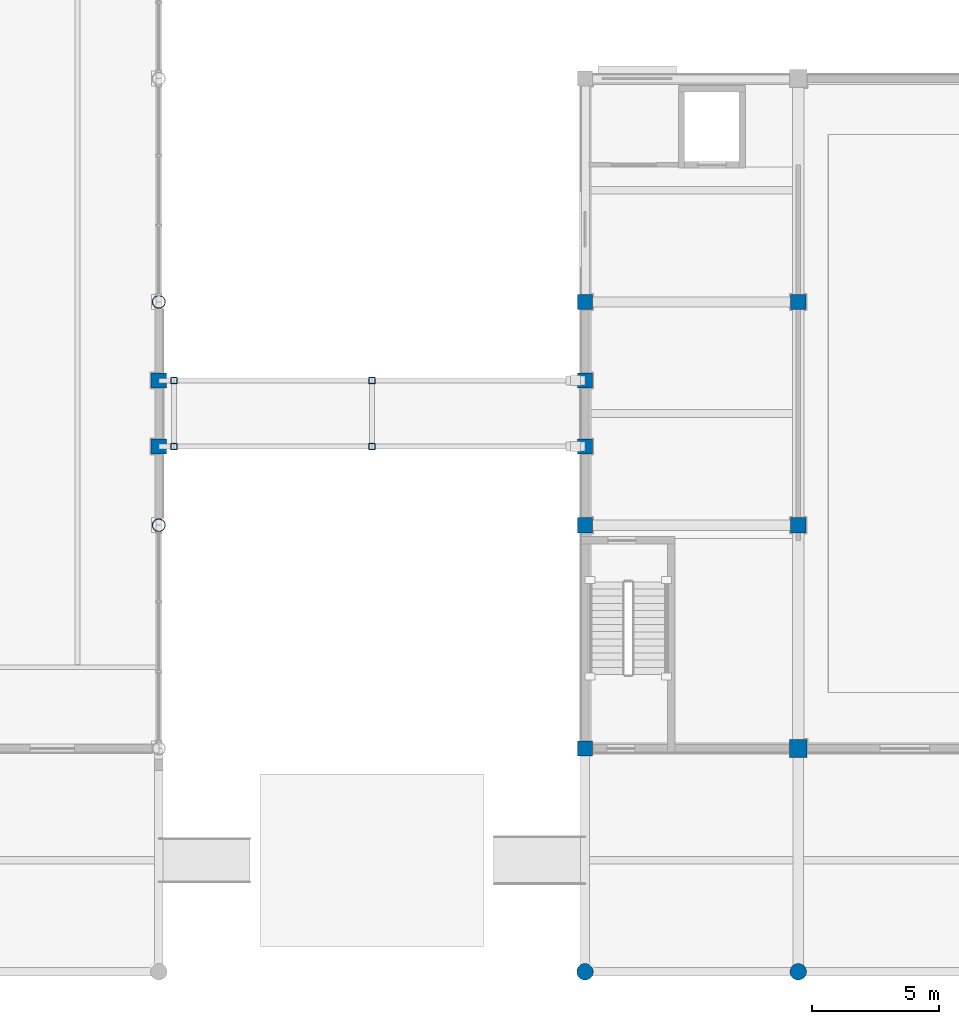
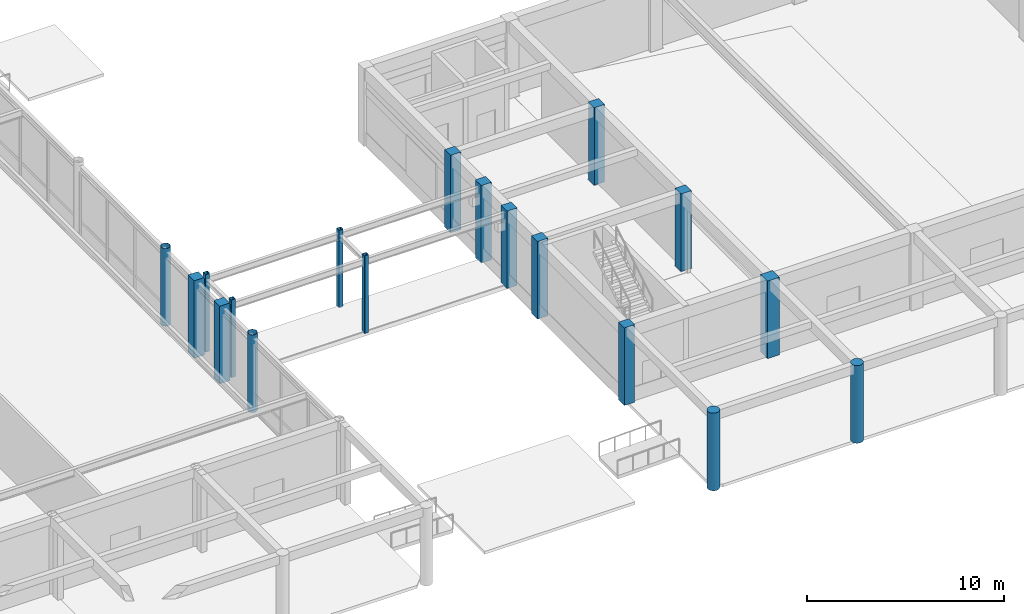
# One storey, part 2 of 58: 18 columns.
"""IFC4 building model written with IfcOpenShell, lengths in metres."""

from ifc_helpers import new_model, si_unit, direction, frame, origin, origin_2d, place, context, subcontext, project, spatial, rectangle, hollow_rectangle, circle, hollow_circle, extrude, material, material_profile, profile_set, type_object, element, save


model = new_model("IFC4")

# Units and contexts
model_context = context("Model", 3, precision=1e-05, world=origin(), true_north=direction((0.0, 1.0)))
body_context = subcontext(model_context, "Body", "Model", "MODEL_VIEW")
ifc_project = project(units=[si_unit("LENGTHUNIT", "METRE"), si_unit("AREAUNIT", "SQUARE_METRE"), si_unit("VOLUMEUNIT", "CUBIC_METRE"), si_unit("PLANEANGLEUNIT", "RADIAN"), si_unit("MASSUNIT", "GRAM", prefix="KILO")], contexts=[model_context])

# Site, building, storey
site_placement = place(None, origin())
site = spatial("IfcSite", under=ifc_project, at=site_placement, CompositionType="ELEMENT")
building_placement = place(site_placement, origin())
building = spatial("IfcBuilding", under=site, at=building_placement, Name="Kemercrest Conservatory and Botanical Centre", CompositionType="ELEMENT")
storey_placement = place(building_placement, origin())
storey = spatial("IfcBuildingStorey", under=building, at=storey_placement, Name="L00", CompositionType="ELEMENT", Elevation=0.0)

# Columns
ifc_material_1 = material(Name="Concrete C40/50", Category="concrete")
ifc_material_profile_1 = material_profile(ifc_material_1, rectangle(XDim=0.60009765625, YDim=0.60009765625, at=origin_2d()), Name="RC 600x600")
ifc_profile_set_1 = profile_set([ifc_material_profile_1], Name="Concrete C40/50")
column_type_1 = type_object("IfcColumnType", Name="C-RC60", PredefinedType="COLUMN", material=ifc_profile_set_1)
for number, where, z_axis, x_axis, name in (
    (1, (58.39990234375, 16.800048828125, 0.0), (0.0, 0.0, 1.0), (1.0, 0.0, 0.0), "Auditorium column 07/B"),
    (2, (58.39990234375, 25.60009765625, 0.0), (0.0, 0.0, 1.0), (1.0, 0.0, 0.0), "Auditorium column 07/C"),
    (3, (58.39990234375, 34.39990234375, 0.0), (0.0, 0.0, 1.0), (1.0, 0.0, 0.0), "Auditorium column 07/D"),
    (4, (66.800048828125, 25.60009765625, 0.0), (0.0, 0.0, 1.0), (1.0, 0.0, 0.0), "Auditorium column 08/C"),
    (5, (66.800048828125, 34.39990234375, 0.0), (0.0, 0.0, 1.0), (1.0, 0.0, 0.0), "Auditorium column 08/D"),
    (6, (41.60009765625, 28.699951171875, 0.0), (0.0, 0.0, 1.0), (1.0, 0.0, 0.0), "South Courtyard Covered Passage SJ-1 org pier column 1"),
    (7, (41.60009765625, 31.300048828125, 0.0), (0.0, 0.0, 1.0), (1.0, 0.0, 0.0), "South Courtyard Covered Passage SJ-1 org pier column 2"),
    (8, (58.39990234375, 28.699951171875, 0.0), (0.0, 0.0, 1.0), (1.0, 0.0, 0.0), "South Courtyard Covered Passage SJ-1 rcv pier column 1"),
    (9, (58.39990234375, 31.300048828125, 0.0), (0.0, 0.0, 1.0), (1.0, 0.0, 0.0), "South Courtyard Covered Passage SJ-1 rcv pier column 2"),
):
    element("IfcColumn", number, at=place(storey_placement, frame(where, z_axis=z_axis, x_axis=x_axis)), inside=storey, type_object=column_type_1, Name=name, PredefinedType="COLUMN", context=body_context, shape_type="SweptSolid", body=[
        extrude(rectangle(XDim=0.60009765625, YDim=0.60009765625, at=origin_2d()), origin(), (0.0, 0.0, 1.0), 4.800048828125),
    ])
ifc_material_2 = material(Name="Concrete C50/60", Category="concrete")
ifc_material_profile_2 = material_profile(ifc_material_2, rectangle(XDim=0.699951171875, YDim=0.699951171875, at=origin_2d()), Name="RC 700x700")
ifc_profile_set_2 = profile_set([ifc_material_profile_2], Name="Concrete C50/60")
column_type_2 = type_object("IfcColumnType", Name="C-RC70", PredefinedType="COLUMN", material=ifc_profile_set_2)
column_placement = place(storey_placement, frame((66.800048828125, 16.800048828125, 0.0), z_axis=(0.0, 0.0, 1.0), x_axis=(1.0, 0.0, 0.0)))
element("IfcColumn", 10, at=column_placement, inside=storey, type_object=column_type_2, Name="Auditorium column 08/B", PredefinedType="COLUMN", context=body_context, shape_type="SweptSolid", body=[
    extrude(rectangle(XDim=0.699951171875, YDim=0.699951171875, at=origin_2d()), origin(), (0.0, 0.0, 1.0), 4.800048828125),
])
ifc_material_3 = material(Name="Steel CSA G40.21 350W", Category="steel")
ifc_material_profile_3 = material_profile(ifc_material_3, hollow_rectangle(XDim=0.25390625, YDim=0.25390625, WallThickness=0.0126953125, InnerFilletRadius=0.0126953125, OuterFilletRadius=0.02490234375, at=origin_2d()), Name="HSS 254x254x12.7")
ifc_profile_set_3 = profile_set([ifc_material_profile_3], Name="Steel CSA G40.21 350W")
column_type_3 = type_object("IfcColumnType", Name="C-S254", PredefinedType="COLUMN", material=ifc_profile_set_3)
for number, where, z_axis, x_axis, name in (
    (11, (42.199951171875, 28.699951171875, 0.0), (0.0, 0.0, 1.0), (1.0, 0.0, 0.0), "South Courtyard Covered Passage SJ-1 support column P0-1"),
    (12, (42.199951171875, 31.300048828125, 0.0), (0.0, 0.0, 1.0), (1.0, 0.0, 0.0), "South Courtyard Covered Passage SJ-1 support column P0-2"),
    (13, (50.0, 28.699951171875, 0.0), (0.0, 0.0, 1.0), (1.0, 0.0, 0.0), "South Courtyard Covered Passage SJ-1 support column P1-1"),
    (14, (50.0, 31.300048828125, 0.0), (0.0, 0.0, 1.0), (1.0, 0.0, 0.0), "South Courtyard Covered Passage SJ-1 support column P1-2"),
):
    element("IfcColumn", number, at=place(storey_placement, frame(where, z_axis=z_axis, x_axis=x_axis)), inside=storey, type_object=column_type_3, Name=name, PredefinedType="COLUMN", context=body_context, shape_type="SweptSolid", body=[
        extrude(hollow_rectangle(XDim=0.25390625, YDim=0.25390625, WallThickness=0.0126953125, InnerFilletRadius=0.0126953125, OuterFilletRadius=0.02490234375, at=origin_2d()), origin(), (0.0, 0.0, 1.0), 4.800048828125),
    ])
ifc_material_profile_4 = material_profile(ifc_material_3, hollow_circle(Radius=0.25390625, WallThickness=0.01611328125, at=origin_2d()), Name="CHS 508.0x16.0")
ifc_profile_set_4 = profile_set([ifc_material_profile_4], Name="Steel CSA G40.21 350W")
column_type_4 = type_object("IfcColumnType", Name="C-S508", PredefinedType="COLUMN", material=ifc_profile_set_4)
for number, where, z_axis, x_axis, name in (
    (15, (41.60009765625, 25.60009765625, 0.0), (0.0, 0.0, 1.0), (1.0, 0.0, 0.0), "Conservatory perimeter steel column 05/C"),
    (16, (41.60009765625, 34.39990234375, 0.0), (0.0, 0.0, 1.0), (1.0, 0.0, 0.0), "Conservatory perimeter steel column 05/D"),
):
    element("IfcColumn", number, at=place(storey_placement, frame(where, z_axis=z_axis, x_axis=x_axis)), inside=storey, type_object=column_type_4, Name=name, PredefinedType="COLUMN", context=body_context, shape_type="SweptSolid", body=[
        extrude(hollow_circle(Radius=0.25390625, WallThickness=0.01611328125, at=origin_2d()), origin(), (0.0, 0.0, 1.0), 4.800048828125),
    ])
ifc_material_4 = material(Name="Precast concrete C40/50", Category="concrete")
ifc_material_profile_5 = material_profile(ifc_material_4, circle(Radius=0.324951171875, at=origin_2d()), Name="COLONNADE D650")
ifc_profile_set_5 = profile_set([ifc_material_profile_5], Name="Precast concrete C40/50")
column_type_5 = type_object("IfcColumnType", Name="CL-650", PredefinedType="COLUMN", material=ifc_profile_set_5)
for number, where, z_axis, x_axis, name in (
    (17, (58.39990234375, 8.0, 0.0), (0.0, 0.0, 1.0), (1.0, 0.0, 0.0), "Auditorium harbour colonnade column 07/A"),
    (18, (66.800048828125, 8.0, 0.0), (0.0, 0.0, 1.0), (1.0, 0.0, 0.0), "Auditorium harbour colonnade column 08/A"),
):
    element("IfcColumn", number, at=place(storey_placement, frame(where, z_axis=z_axis, x_axis=x_axis)), inside=storey, type_object=column_type_5, Name=name, PredefinedType="COLUMN", context=body_context, shape_type="SweptSolid", body=[
        extrude(circle(Radius=0.324951171875, at=origin_2d()), origin(), (0.0, 0.0, 1.0), 4.800048828125),
    ])

save(model, "model.ifc")
